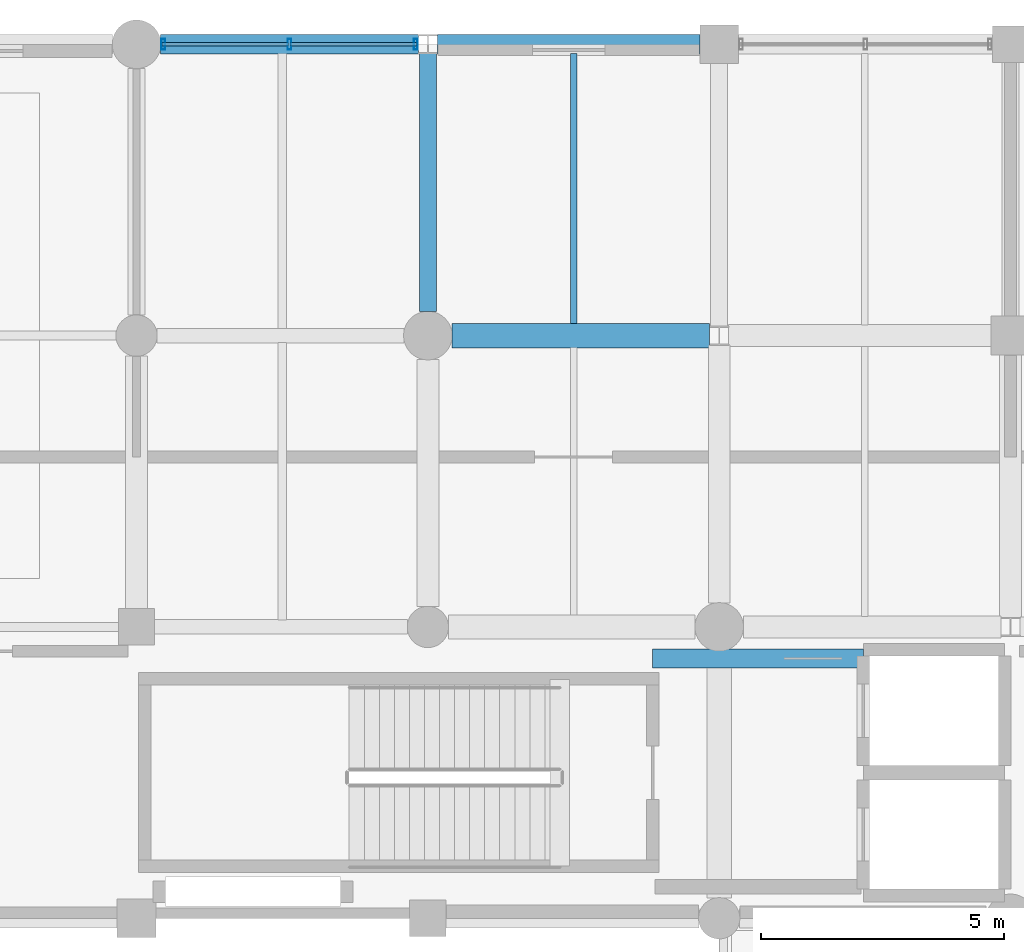
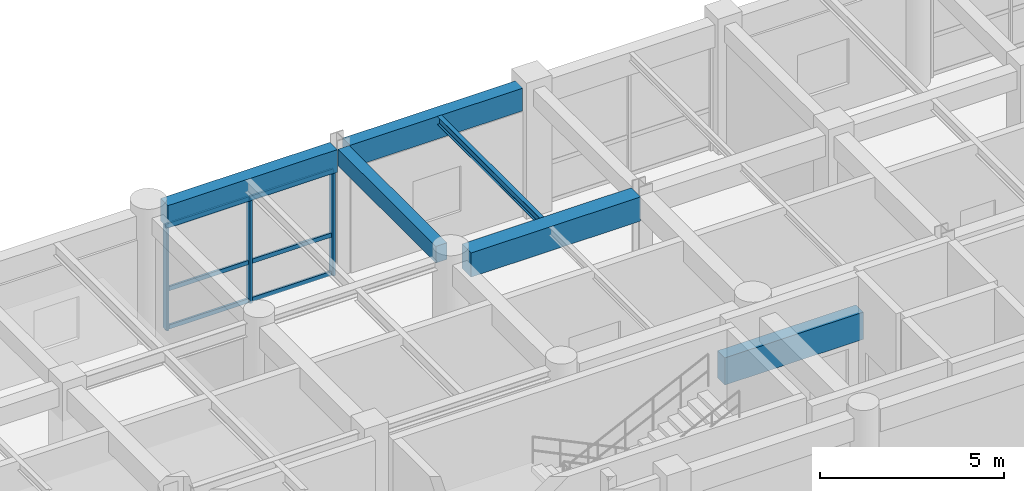
# One storey, part 79 of 133: 9 members, 6 beams, 1 element without a shape of its own.
"""IFC4 building model written with IfcOpenShell, lengths in metres."""

from ifc_helpers import new_model, si_unit, direction, frame, origin, origin_2d, place, context, subcontext, project, spatial, rectangle, hollow_rectangle, i_section, extrude, material, material_profile, profile_set, type_object, element, aggregate, save


model = new_model("IFC4")

# Units and contexts
model_context = context("Model", 3, precision=1e-05, world=origin(), true_north=direction((0.0, 1.0)))
body_context = subcontext(model_context, "Body", "Model", "MODEL_VIEW")
ifc_project = project(units=[si_unit("LENGTHUNIT", "METRE"), si_unit("AREAUNIT", "SQUARE_METRE"), si_unit("VOLUMEUNIT", "CUBIC_METRE"), si_unit("PLANEANGLEUNIT", "RADIAN"), si_unit("MASSUNIT", "GRAM", prefix="KILO"), si_unit("THERMODYNAMICTEMPERATUREUNIT", "KELVIN"), si_unit("POWERUNIT", "WATT")], contexts=[model_context])

# Site, building, storey
site_placement = place(None, origin())
site = spatial("IfcSite", under=ifc_project, at=site_placement, CompositionType="ELEMENT")
building_placement = place(site_placement, origin())
building = spatial("IfcBuilding", under=site, at=building_placement, Name="Phaisarnlok Congress Hotel", CompositionType="ELEMENT")
storey_placement = place(building_placement, frame((0.0, 0.0, 6.0)))
storey = spatial("IfcBuildingStorey", under=building, at=storey_placement, Name="L01", CompositionType="ELEMENT", Elevation=6.0)

# Beams
ifc_material_1 = material(Name="Concrete C40/50", Category="concrete")
ifc_material_profile_1 = material_profile(ifc_material_1, rectangle(XDim=0.35009765625, YDim=0.550048828125, at=origin_2d()), Name="RC 350x550")
ifc_profile_set_1 = profile_set([ifc_material_profile_1], Name="Concrete C40/50")
beam_type_1 = type_object("IfcBeamType", Name="BM-RC-350x550", PredefinedType="BEAM", material=ifc_profile_set_1)
beam_1_placement = place(storey_placement, frame((138.0, 120.4951171875, 3.945068359375), z_axis=(0.0, 1.0, 0.0), x_axis=(-1.0, 0.0, 0.0)))
element("IfcBeam", 1, at=beam_1_placement, inside=storey, type_object=beam_type_1, Name="Beam B-01", PredefinedType="BEAM", context=body_context, shape_type="SweptSolid", body=[
    extrude(rectangle(XDim=0.35009765625, YDim=0.550048828125, at=origin_2d()), origin(), (0.0, 0.0, 1.0), 5.310302734375),
])
ifc_material_profile_2 = material_profile(ifc_material_1, rectangle(XDim=0.5, YDim=0.800048828125, at=origin_2d()), Name="RC 500x800")
ifc_profile_set_2 = profile_set([ifc_material_profile_2], Name="Concrete C40/50")
beam_type_2 = type_object("IfcBeamType", Name="BM-RC-500x800", PredefinedType="BEAM", material=ifc_profile_set_2)
beam_2_placement = place(storey_placement, frame((138.4951171875, 120.0, 3.820068359375), z_axis=(1.0, 0.0, 0.0), x_axis=(0.0, 1.0, 0.0)))
element("IfcBeam", 2, at=beam_2_placement, inside=storey, type_object=beam_type_2, Name="Beam B-04", PredefinedType="BEAM", context=body_context, shape_type="SweptSolid", body=[
    extrude(rectangle(XDim=0.5, YDim=0.800048828125, at=origin_2d()), origin(), (0.0, 0.0, 1.0), 5.309326171875),
])

# Curtain wall, members
ifc_material_2 = material(Name="Thermally Broken Unitised Aluminium & Low-E Glazing", Category="aluminium")
curtain_wall_type = type_object("IfcCurtainWallType", Name="CW-UNIT-13", PredefinedType="NOTDEFINED", material=ifc_material_2)
curtain_wall_placement = place(storey_placement, origin())
curtain_wall = element("IfcCurtainWall", 3, at=curtain_wall_placement, inside=storey, type_object=curtain_wall_type, Name="Unitised curtain wall CW-13 (L01)", PredefinedType="NOTDEFINED")
ifc_material_3 = material(Name="Anodised Aluminium Alloy 6063-T6", Category="aluminium")
ifc_material_profile_3 = material_profile(ifc_material_3, hollow_rectangle(XDim=0.074951171875, YDim=0.219970703125, WallThickness=0.0048828125, at=origin_2d()), Name="ALU-M 75x220x5")
ifc_profile_set_3 = profile_set([ifc_material_profile_3], Name="Anodised Aluminium Alloy 6063-T6")
member_type_1 = type_object("IfcMemberType", Name="CWM-220", PredefinedType="MULLION", material=ifc_profile_set_3)
member_1_placement = place(storey_placement, frame((137.74951171875, 126.0, 0.0), z_axis=(0.0, 0.0, 1.0), x_axis=(-1.0, 0.0, 0.0)))
member_1 = element("IfcMember", 4, at=member_1_placement, type_object=member_type_1, Name="Curtain wall mullion CWM-02", PredefinedType="MULLION", context=body_context, shape_type="SweptSolid", body=[
    extrude(hollow_rectangle(XDim=0.074951171875, YDim=0.219970703125, WallThickness=0.0048828125, at=origin_2d()), origin(), (0.0, 0.0, 1.0), 3.469970703125),
])
member_2_placement = place(storey_placement, frame((135.149658203125, 126.0, 0.0), z_axis=(0.0, 0.0, 1.0), x_axis=(-1.0, 0.0, 0.0)))
member_2 = element("IfcMember", 5, at=member_2_placement, type_object=member_type_1, Name="Curtain wall mullion CWM-02", PredefinedType="MULLION", context=body_context, shape_type="SweptSolid", body=[
    extrude(hollow_rectangle(XDim=0.074951171875, YDim=0.219970703125, WallThickness=0.0048828125, at=origin_2d()), origin(), (0.0, 0.0, 1.0), 3.469970703125),
])
member_3_placement = place(storey_placement, frame((132.550048828125, 126.0, 0.0), z_axis=(0.0, 0.0, 1.0), x_axis=(-1.0, 0.0, 0.0)))
member_3 = element("IfcMember", 6, at=member_3_placement, type_object=member_type_1, Name="Curtain wall mullion CWM-02", PredefinedType="MULLION", context=body_context, shape_type="SweptSolid", body=[
    extrude(hollow_rectangle(XDim=0.074951171875, YDim=0.219970703125, WallThickness=0.0048828125, at=origin_2d()), origin(), (0.0, 0.0, 1.0), 3.469970703125),
])
ifc_material_profile_4 = material_profile(ifc_material_3, hollow_rectangle(XDim=0.06494140625, YDim=0.139892578125, WallThickness=0.00390625, at=origin_2d()), Name="ALU-T 65x140x4")
ifc_profile_set_4 = profile_set([ifc_material_profile_4], Name="Anodised Aluminium Alloy 6063-T6")
member_type_2 = type_object("IfcMemberType", Name="CWT-150", PredefinedType="USERDEFINED", material=ifc_profile_set_4)
member_4_placement = place(storey_placement, frame((137.7744140625, 126.0, 0.050048828125), z_axis=(-1.0, 0.0, 0.0), x_axis=(0.0, -1.0, 0.0)))
member_4 = element("IfcMember", 7, at=member_4_placement, type_object=member_type_2, Name="Curtain wall transom CWT-01", ObjectType="TRANSOM", PredefinedType="USERDEFINED", context=body_context, shape_type="SweptSolid", body=[
    extrude(hollow_rectangle(XDim=0.06494140625, YDim=0.139892578125, WallThickness=0.00390625, at=origin_2d()), origin(), (0.0, 0.0, 1.0), 2.609619140625),
])
member_5_placement = place(storey_placement, frame((137.7744140625, 126.0, 1.318603515625), z_axis=(-1.0, 0.0, 0.0), x_axis=(0.0, -1.0, 0.0)))
member_5 = element("IfcMember", 8, at=member_5_placement, type_object=member_type_2, Name="Curtain wall transom CWT-01", ObjectType="TRANSOM", PredefinedType="USERDEFINED", context=body_context, shape_type="SweptSolid", body=[
    extrude(hollow_rectangle(XDim=0.06494140625, YDim=0.139892578125, WallThickness=0.00390625, at=origin_2d()), origin(), (0.0, 0.0, 1.0), 2.609619140625),
])
member_6_placement = place(storey_placement, frame((137.7744140625, 126.0, 3.419921875), z_axis=(-1.0, 0.0, 0.0), x_axis=(0.0, -1.0, 0.0)))
member_6 = element("IfcMember", 9, at=member_6_placement, type_object=member_type_2, Name="Curtain wall transom CWT-01", ObjectType="TRANSOM", PredefinedType="USERDEFINED", context=body_context, shape_type="SweptSolid", body=[
    extrude(hollow_rectangle(XDim=0.06494140625, YDim=0.139892578125, WallThickness=0.00390625, at=origin_2d()), origin(), (0.0, 0.0, 1.0), 2.609619140625),
])
member_7_placement = place(storey_placement, frame((135.134765625, 126.0, 0.050048828125), z_axis=(-1.0, 0.0, 0.0), x_axis=(0.0, -1.0, 0.0)))
member_7 = element("IfcMember", 10, at=member_7_placement, type_object=member_type_2, Name="Curtain wall transom CWT-01", ObjectType="TRANSOM", PredefinedType="USERDEFINED", context=body_context, shape_type="SweptSolid", body=[
    extrude(hollow_rectangle(XDim=0.06494140625, YDim=0.139892578125, WallThickness=0.00390625, at=origin_2d()), origin(), (0.0, 0.0, 1.0), 2.60986328125),
])
member_8_placement = place(storey_placement, frame((135.134765625, 126.0, 1.318603515625), z_axis=(-1.0, 0.0, 0.0), x_axis=(0.0, -1.0, 0.0)))
member_8 = element("IfcMember", 11, at=member_8_placement, type_object=member_type_2, Name="Curtain wall transom CWT-01", ObjectType="TRANSOM", PredefinedType="USERDEFINED", context=body_context, shape_type="SweptSolid", body=[
    extrude(hollow_rectangle(XDim=0.06494140625, YDim=0.139892578125, WallThickness=0.00390625, at=origin_2d()), origin(), (0.0, 0.0, 1.0), 2.60986328125),
])
member_9_placement = place(storey_placement, frame((135.134765625, 126.0, 3.419921875), z_axis=(-1.0, 0.0, 0.0), x_axis=(0.0, -1.0, 0.0)))
member_9 = element("IfcMember", 12, at=member_9_placement, type_object=member_type_2, Name="Curtain wall transom CWT-01", ObjectType="TRANSOM", PredefinedType="USERDEFINED", context=body_context, shape_type="SweptSolid", body=[
    extrude(hollow_rectangle(XDim=0.06494140625, YDim=0.139892578125, WallThickness=0.00390625, at=origin_2d()), origin(), (0.0, 0.0, 1.0), 2.60986328125),
])
aggregate(curtain_wall, [member_1, member_2, member_3, member_4, member_5, member_6, member_7, member_8, member_9])

# Beams
ifc_material_4 = material(Name="Steel S355", Category="steel")
ifc_material_profile_5 = material_profile(ifc_material_4, i_section(OverallWidth=0.135009765625, OverallDepth=0.27001953125, WebThickness=0.006591796875, FlangeThickness=0.01025390625, FilletRadius=0.014892578125, at=origin_2d()), Name="IPE 270")
ifc_profile_set_5 = profile_set([ifc_material_profile_5], Name="Steel S355")
beam_type_3 = type_object("IfcBeamType", Name="JS-STL-IPE270", PredefinedType="JOIST", material=ifc_profile_set_5)
beam_3_placement = place(storey_placement, frame((141.0, 120.2451171875, 4.0849609375), z_axis=(0.0, 1.0, 0.0), x_axis=(-1.0, 0.0, 0.0)))
element("IfcBeam", 13, at=beam_3_placement, inside=storey, type_object=beam_type_3, Name="Secondary floor joist J-02", PredefinedType="JOIST", context=body_context, shape_type="SweptSolid", body=[
    extrude(i_section(OverallWidth=0.135009765625, OverallDepth=0.27001953125, WebThickness=0.006591796875, FlangeThickness=0.01025390625, FilletRadius=0.014892578125, at=origin_2d()), origin(), (0.0, 0.0, 1.0), 5.559814453125),
])
ifc_material_5 = material(Name="Concrete C50/60", Category="concrete")
ifc_material_profile_6 = material_profile(ifc_material_5, rectangle(XDim=0.39990234375, YDim=0.89990234375, at=origin_2d()), Name="RC 400x900")
ifc_profile_set_6 = profile_set([ifc_material_profile_6], Name="Concrete C50/60")
beam_type_4 = type_object("IfcBeamType", Name="LN-RC-400x900", PredefinedType="LINTEL", material=ifc_profile_set_6)
beam_4_placement = place(storey_placement, frame((142.6298828125, 113.35009765625, 2.85009765625), z_axis=(1.0, 0.0, 0.0), x_axis=(0.0, 1.0, 0.0)))
element("IfcBeam", 14, at=beam_4_placement, inside=storey, type_object=beam_type_4, Name="Core coupling lintel beam LN-01", PredefinedType="LINTEL", context=body_context, shape_type="SweptSolid", body=[
    extrude(rectangle(XDim=0.39990234375, YDim=0.89990234375, at=origin_2d()), origin(), (0.0, 0.0, 1.0), 4.340087890625),
])
ifc_material_profile_7 = material_profile(ifc_material_1, rectangle(XDim=0.39990234375, YDim=0.75, at=origin_2d()), Name="RC 400x750")
ifc_profile_set_7 = profile_set([ifc_material_profile_7], Name="Concrete C40/50")
beam_type_5 = type_object("IfcBeamType", Name="SP-RC-400x750", PredefinedType="SPANDREL", material=ifc_profile_set_7)
beam_5_placement = place(storey_placement, frame((132.4951171875, 126.0, 3.844970703125), z_axis=(1.0, 0.0, 0.0), x_axis=(0.0, 1.0, 0.0)))
element("IfcBeam", 15, at=beam_5_placement, inside=storey, type_object=beam_type_5, Name="Beam SP-02", PredefinedType="SPANDREL", context=body_context, shape_type="SweptSolid", body=[
    extrude(rectangle(XDim=0.39990234375, YDim=0.75, at=origin_2d()), origin(), (0.0, 0.0, 1.0), 5.309326171875),
])
beam_6_placement = place(storey_placement, frame((138.195556640625, 126.0, 3.844970703125), z_axis=(1.0, 0.0, 0.0), x_axis=(0.0, 1.0, 0.0)))
element("IfcBeam", 16, at=beam_6_placement, inside=storey, type_object=beam_type_5, Name="Beam SP-02", PredefinedType="SPANDREL", context=body_context, shape_type="SweptSolid", body=[
    extrude(rectangle(XDim=0.39990234375, YDim=0.75, at=origin_2d()), origin(), (0.0, 0.0, 1.0), 5.409423828125),
])

save(model, "model.ifc")
